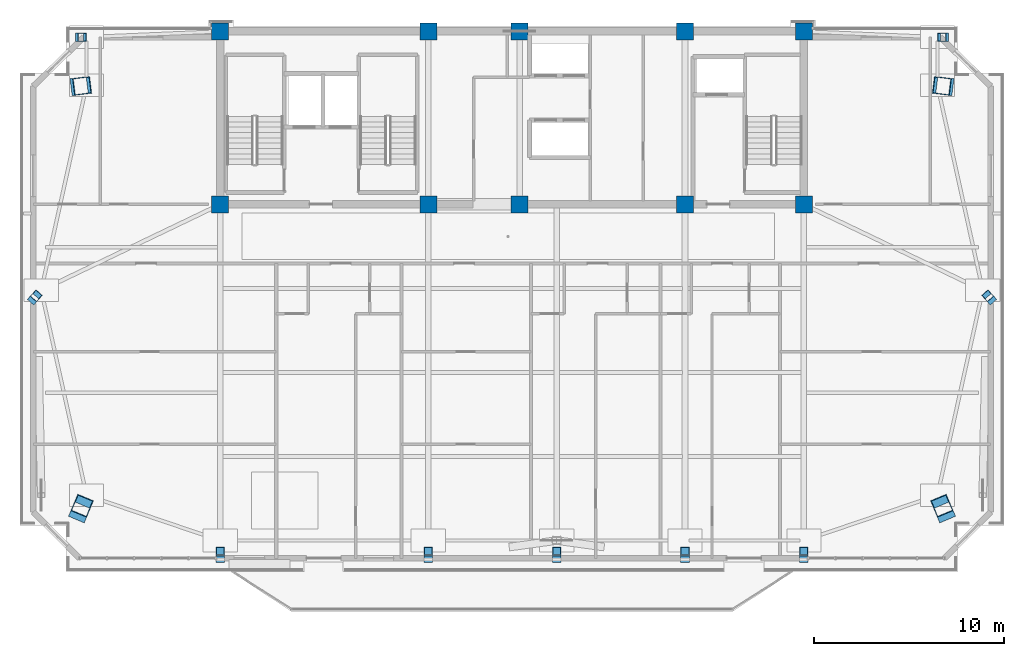
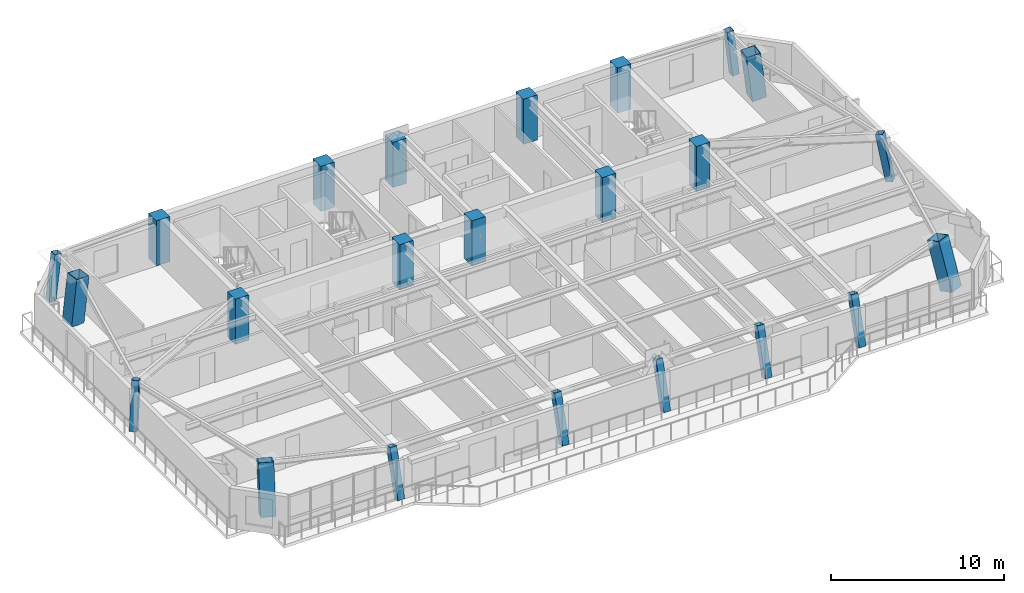
# One storey, part 1 of 15: 23 columns.
"""IFC4 building model written with IfcOpenShell, lengths in metres."""

from ifc_helpers import new_model, si_unit, direction, frame, origin, origin_2d, place, context, subcontext, project, spatial, rectangle, hollow_rectangle, extrude, source, transform, mapped, material, material_profile, profile_set, type_object, element, save


model = new_model("IFC4")

# Units and contexts
model_context = context("Model", 3, precision=1e-05, world=origin(), true_north=direction((0.0, 1.0)))
body_context = subcontext(model_context, "Body", "Model", "MODEL_VIEW")
ifc_project = project(units=[si_unit("LENGTHUNIT", "METRE"), si_unit("AREAUNIT", "SQUARE_METRE"), si_unit("VOLUMEUNIT", "CUBIC_METRE"), si_unit("PLANEANGLEUNIT", "RADIAN"), si_unit("MASSUNIT", "GRAM", prefix="KILO")], contexts=[model_context])

# Site, building, storey
site_placement = place(None, origin())
site = spatial("IfcSite", under=ifc_project, at=site_placement, CompositionType="ELEMENT")
building_placement = place(site_placement, origin())
building = spatial("IfcBuilding", under=site, at=building_placement, Name="Giltprow Tower", CompositionType="ELEMENT")
storey_placement = place(building_placement, frame((0.0, 0.0, 300.60009765625)))
storey = spatial("IfcBuildingStorey", under=building, at=storey_placement, Name="L77", CompositionType="ELEMENT", Elevation=300.60009765625)

# Columns
ifc_material_1 = material(Name="Concrete C45", Category="concrete")
ifc_material_profile_1 = material_profile(ifc_material_1, rectangle(XDim=0.89990234375, YDim=0.89990234375, at=origin_2d()), Name="RC 900x900")
ifc_profile_set_1 = profile_set([ifc_material_profile_1], Name="Concrete C45")
column_type_1 = type_object("IfcColumnType", Name="PIL-RC-900-C45", PredefinedType="PILASTER", material=ifc_profile_set_1)
shared_shape_1 = source(origin(), body_context, "Body", "SweptSolid", [
    extrude(rectangle(XDim=0.89990234375, YDim=0.89990234375, at=origin_2d()), origin(), (0.0, 0.0, 1.0), 3.184814453125),
])
for number, where, z_axis, x_axis, name in (
    (1, (19.85009765625, 37.449951171875, 0.0), (0.0, 0.0, 1.0), (1.0, 0.0, 0.0), "L77 Core Boundary Pilaster 1-1"),
    (2, (19.85009765625, 46.550048828125, 0.0), (0.0, 0.0, 1.0), (1.0, 0.0, 0.0), "L77 Core Boundary Pilaster 1-2"),
    (3, (30.800048828125, 37.449951171875, 0.0), (0.0, 0.0, 1.0), (1.0, 0.0, 0.0), "L77 Core Boundary Pilaster 2-1"),
    (4, (30.800048828125, 46.550048828125, 0.0), (0.0, 0.0, 1.0), (1.0, 0.0, 0.0), "L77 Core Boundary Pilaster 2-2"),
    (5, (35.60009765625, 37.449951171875, 0.0), (0.0, 0.0, 1.0), (1.0, 0.0, 0.0), "L77 Core Boundary Pilaster 3-1"),
    (6, (35.60009765625, 46.550048828125, 0.0), (0.0, 0.0, 1.0), (1.0, 0.0, 0.0), "L77 Core Boundary Pilaster 3-2"),
    (7, (44.300048828125, 37.449951171875, 0.0), (0.0, 0.0, 1.0), (1.0, 0.0, 0.0), "L77 Core Boundary Pilaster 4-1"),
    (8, (44.300048828125, 46.550048828125, 0.0), (0.0, 0.0, 1.0), (1.0, 0.0, 0.0), "L77 Core Boundary Pilaster 4-2"),
    (9, (50.550048828125, 37.449951171875, 0.0), (0.0, 0.0, 1.0), (1.0, 0.0, 0.0), "L77 Core Boundary Pilaster 5-1"),
    (10, (50.550048828125, 46.550048828125, 0.0), (0.0, 0.0, 1.0), (1.0, 0.0, 0.0), "L77 Core Boundary Pilaster 5-2"),
):
    element("IfcColumn", number, at=place(storey_placement, frame(where, z_axis=z_axis, x_axis=x_axis)), inside=storey, type_object=column_type_1, Name=name, PredefinedType="PILASTER", context=body_context, shape_type="MappedRepresentation", body=[
        mapped(shared_shape_1, transform((0.0, 0.0, 0.0), x_axis=(1.0, 0.0, 0.0), y_axis=(0.0, 1.0, 0.0), z_axis=(0.0, 0.0, 1.0), scale=1.0)),
    ])
ifc_material_2 = material(Name="Structural steel Q355B", Category="steel")
ifc_material_profile_2 = material_profile(ifc_material_2, hollow_rectangle(XDim=0.449951171875, YDim=0.449951171875, WallThickness=0.02197265625, at=origin_2d()), Name="BOX 450x450x22")
ifc_profile_set_2 = profile_set([ifc_material_profile_2], Name="Structural steel Q355B")
column_type_2 = type_object("IfcColumnType", Name="COL-BOX-450x450x22", PredefinedType="COLUMN", material=ifc_profile_set_2)
shared_shape_2 = source(origin(), body_context, "Body", "SweptSolid", [
    extrude(hollow_rectangle(XDim=0.449951171875, YDim=0.449951171875, WallThickness=0.02197265625, at=origin_2d()), origin(), (0.0, 0.0, 1.0), 3.206298828125),
])
for number, where, z_axis, x_axis, name in (
    (11, (12.455078125, 46.25, 0.0), (0.115361080088, 0.0, 0.993323623599), (0.0, 1.0, 0.0), "L77 Perimeter Column N_W"),
    (12, (57.945068359375, 46.25, 0.0), (-0.115436211662, 0.0, 0.993314895205), (0.0, -1.0, 0.0), "L77 Perimeter Column N_E"),
):
    element("IfcColumn", number, at=place(storey_placement, frame(where, z_axis=z_axis, x_axis=x_axis)), inside=storey, type_object=column_type_2, Name=name, PredefinedType="COLUMN", context=body_context, shape_type="MappedRepresentation", body=[
        mapped(shared_shape_2, transform((0.0, 0.0, 0.0), x_axis=(1.0, 0.0, 0.0), y_axis=(0.0, 1.0, 0.0), z_axis=(0.0, 0.0, 1.0), scale=1.0)),
    ])
ifc_material_3 = material(Name="Structural steel Q420GJC", Category="steel")
ifc_material_profile_3 = material_profile(ifc_material_3, hollow_rectangle(XDim=0.89990234375, YDim=0.89990234375, WallThickness=0.0400390625, at=origin_2d()), Name="BOX 900x900x40")
ifc_profile_set_3 = profile_set([ifc_material_profile_3], Name="Structural steel Q420GJC")
column_type_3 = type_object("IfcColumnType", Name="COL-BOX-900x900x40", PredefinedType="COLUMN", material=ifc_profile_set_3)
shared_shape_3 = source(origin(), body_context, "Body", "SweptSolid", [
    extrude(hollow_rectangle(XDim=0.89990234375, YDim=0.89990234375, WallThickness=0.0400390625, at=origin_2d()), origin(), (0.0, 0.0, 1.0), 3.326171875),
])
for number, where, z_axis, x_axis, name in (
    (13, (12.455078125, 21.27197265625, 0.0), (0.111202469938, 0.266078517177, 0.957515656988), (-0.922662215897, 0.385609174368, 0.0), "L77 Mega-Column MC_SW"),
    (14, (57.945068359375, 21.27197265625, 0.0), (-0.111274962345, 0.266076344656, 0.957507838908), (-0.922571641766, -0.38582582315, 0.0), "L77 Mega-Column MC_SE"),
):
    element("IfcColumn", number, at=place(storey_placement, frame(where, z_axis=z_axis, x_axis=x_axis)), inside=storey, type_object=column_type_3, Name=name, PredefinedType="COLUMN", context=body_context, shape_type="MappedRepresentation", body=[
        mapped(shared_shape_3, transform((0.0, 0.0, 0.0), x_axis=(1.0, 0.0, 0.0), y_axis=(0.0, 1.0, 0.0), z_axis=(0.0, 0.0, 1.0), scale=1.0)),
    ])
shared_shape_4 = source(origin(), body_context, "Body", "SweptSolid", [
    extrude(hollow_rectangle(XDim=0.89990234375, YDim=0.89990234375, WallThickness=0.0400390625, at=origin_2d()), origin(), (0.0, 0.0, 1.0), 3.20654296875),
])
for number, where, z_axis, x_axis, name in (
    (15, (12.455078125, 43.6689453125, 0.0), (0.11534913529, 0.014390090145, 0.993220772182), (-0.123792888876, 0.992308077496, 0.0), "L77 Mega-Column MC_NW"),
    (16, (57.945068359375, 43.6689453125, 0.0), (-0.115424259294, 0.014389963725, 0.993212046499), (-0.123712481455, -0.992318105212, 0.0), "L77 Mega-Column MC_NE"),
):
    element("IfcColumn", number, at=place(storey_placement, frame(where, z_axis=z_axis, x_axis=x_axis)), inside=storey, type_object=column_type_3, Name=name, PredefinedType="COLUMN", context=body_context, shape_type="MappedRepresentation", body=[
        mapped(shared_shape_4, transform((0.0, 0.0, 0.0), x_axis=(1.0, 0.0, 0.0), y_axis=(0.0, 1.0, 0.0), z_axis=(0.0, 0.0, 1.0), scale=1.0)),
    ])
shared_shape_5 = source(origin(), body_context, "Body", "SweptSolid", [
    extrude(hollow_rectangle(XDim=0.449951171875, YDim=0.449951171875, WallThickness=0.02197265625, at=origin_2d()), origin(), (0.0, 0.0, 1.0), 3.318115234375),
])
for number, where, z_axis, x_axis, name in (
    (17, (19.85009765625, 18.841064453125, 0.0), (0.0, 0.28055656303, 0.959837494027), (-1.0, 0.0, 0.0), "L77 Perimeter Column S1"),
    (18, (30.800048828125, 18.841064453125, 0.0), (0.0, 0.28055656303, 0.959837494027), (-1.0, 0.0, 0.0), "L77 Perimeter Column S2"),
    (19, (37.550048828125, 18.841064453125, 0.0), (0.0, 0.28055656303, 0.959837494027), (-1.0, 0.0, 0.0), "L77 Perimeter Column S_MID"),
    (20, (44.300048828125, 18.841064453125, 0.0), (0.0, 0.28055656303, 0.959837494027), (-1.0, 0.0, 0.0), "L77 Perimeter Column S3"),
    (21, (50.550048828125, 18.841064453125, 0.0), (0.0, 0.28055656303, 0.959837494027), (-1.0, 0.0, 0.0), "L77 Perimeter Column S4"),
):
    element("IfcColumn", number, at=place(storey_placement, frame(where, z_axis=z_axis, x_axis=x_axis)), inside=storey, type_object=column_type_2, Name=name, PredefinedType="COLUMN", context=body_context, shape_type="MappedRepresentation", body=[
        mapped(shared_shape_5, transform((0.0, 0.0, 0.0), x_axis=(1.0, 0.0, 0.0), y_axis=(0.0, 1.0, 0.0), z_axis=(0.0, 0.0, 1.0), scale=1.0)),
    ])
shared_shape_6 = source(origin(), body_context, "Body", "SweptSolid", [
    extrude(hollow_rectangle(XDim=0.449951171875, YDim=0.449951171875, WallThickness=0.02197265625, at=origin_2d()), origin(), (0.0, 0.0, 1.0), 3.245361328125),
])
for number, where, z_axis, x_axis, name in (
    (22, (10.02392578125, 32.470947265625, 0.0), (0.128187471658, 0.143308176941, 0.981341295642), (-0.745333400914, 0.666691923967, 0.0), "L77 Perimeter Column W_MID"),
    (23, (60.3759765625, 32.470947265625, 0.0), (-0.128187471658, 0.143308176941, 0.981341295642), (-0.745333400914, -0.666691923967, 0.0), "L77 Perimeter Column E_MID"),
):
    element("IfcColumn", number, at=place(storey_placement, frame(where, z_axis=z_axis, x_axis=x_axis)), inside=storey, type_object=column_type_2, Name=name, PredefinedType="COLUMN", context=body_context, shape_type="MappedRepresentation", body=[
        mapped(shared_shape_6, transform((0.0, 0.0, 0.0), x_axis=(1.0, 0.0, 0.0), y_axis=(0.0, 1.0, 0.0), z_axis=(0.0, 0.0, 1.0), scale=1.0)),
    ])

save(model, "model.ifc")
